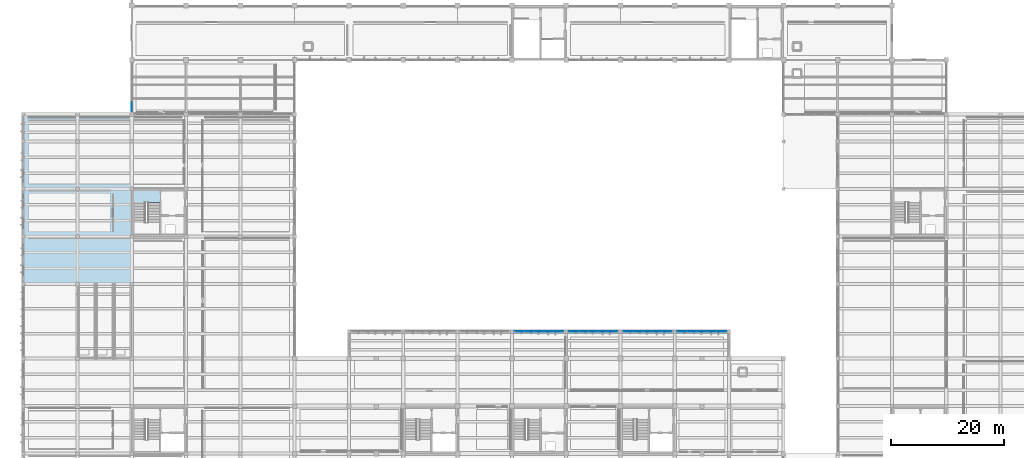
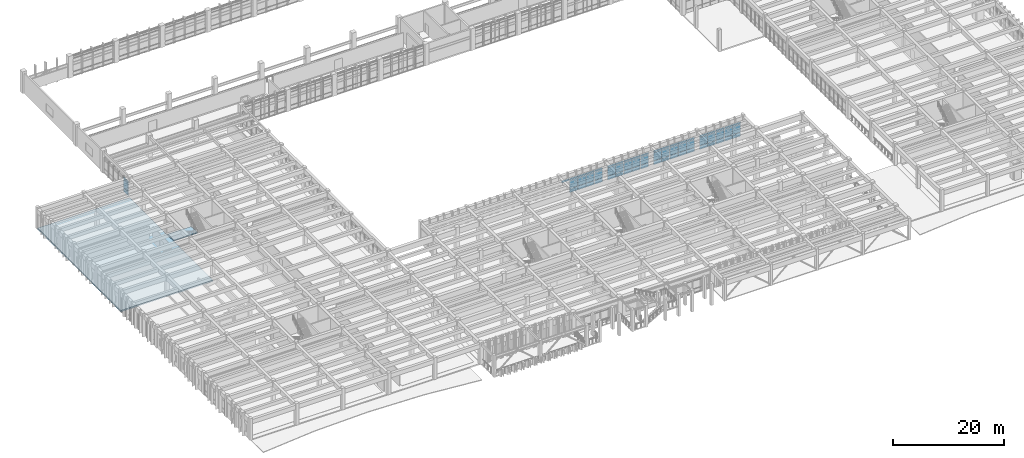
# One storey, part 48 of 86: 61 plates, 2 slabs, 5 elements without a shape of their own.
"""IFC4 building model written with IfcOpenShell, lengths in metres."""

from ifc_helpers import new_model, si_unit, direction, frame, origin, origin_2d, place, context, subcontext, project, spatial, polyline, rectangle, outline, extrude, material, layer, layer_set, type_object, element, aggregate, save


model = new_model("IFC4")

# Units and contexts
model_context = context("Model", 3, precision=1e-05, world=origin(), true_north=direction((0.0, 1.0)))
body_context = subcontext(model_context, "Body", "Model", "MODEL_VIEW")
ifc_project = project(units=[si_unit("LENGTHUNIT", "METRE"), si_unit("AREAUNIT", "SQUARE_METRE"), si_unit("VOLUMEUNIT", "CUBIC_METRE"), si_unit("PLANEANGLEUNIT", "RADIAN"), si_unit("MASSUNIT", "GRAM", prefix="KILO")], contexts=[model_context])

# Site, building, storey
site_placement = place(None, origin())
site = spatial("IfcSite", under=ifc_project, at=site_placement, CompositionType="ELEMENT")
building_placement = place(site_placement, origin())
building = spatial("IfcBuilding", under=site, at=building_placement, Name="Kolvemor Railside Polytechnic", CompositionType="ELEMENT")
storey_placement = place(building_placement, frame((0.0, 0.0, 5.39990234375)))
storey = spatial("IfcBuildingStorey", under=building, at=storey_placement, Name="L01", CompositionType="ELEMENT", Elevation=5.39990234375)

# Curtain wall, plates
ifc_material_1 = material(Name="Anodised marine aluminium and laminated low-E glass", Category="aluminium")
ifc_layer_1 = layer(ifc_material_1, 0.179931640625, Name="CW-UNIT-STD")
ifc_layer_set_1 = layer_set([ifc_layer_1], Name="Anodised marine aluminium and laminated low-E glass")
curtain_wall_type = type_object("IfcCurtainWallType", Name="CW-UNIT-STD", PredefinedType="USERDEFINED", material=ifc_layer_set_1)
curtain_wall_1_placement = place(storey_placement, origin())
curtain_wall_1 = element("IfcCurtainWall", 1, at=curtain_wall_1_placement, inside=storey, type_object=curtain_wall_type, Name="Curtain Wall L01-116", ObjectType="UNITISED CURTAIN WALL", PredefinedType="USERDEFINED")
ifc_material_2 = material(Name="Hurricane-laminated solar-control low-E glass", Category="glass")
ifc_layer_2 = layer(ifc_material_2, 0.031982421875, Name="CWP-GLZ-06")
ifc_layer_set_2 = layer_set([ifc_layer_2], Name="Hurricane-laminated solar-control low-E glass")
plate_type_1 = type_object("IfcPlateType", Name="CWP-GLZ-06", PredefinedType="CURTAIN_PANEL", material=ifc_layer_set_2)
plate_1_placement = place(storey_placement, frame((94.647705078125, 43.199951171875, 0.06494140625), z_axis=(0.0, 0.0, 1.0), x_axis=(-1.0, 0.0, 0.0)))
plate_1 = element("IfcPlate", 2, at=plate_1_placement, type_object=plate_type_1, Name="CW-STD panel 1.1", PredefinedType="CURTAIN_PANEL", context=body_context, shape_type="SweptSolid", body=[
    extrude(rectangle(XDim=1.634521484375, YDim=0.031982421875, at=origin_2d()), origin(), (0.0, 0.0, 1.0), 0.802490234375),
])
plate_2_placement = place(storey_placement, frame((94.647705078125, 43.199951171875, 0.9326171875), z_axis=(0.0, 0.0, 1.0), x_axis=(-1.0, 0.0, 0.0)))
plate_2 = element("IfcPlate", 3, at=plate_2_placement, type_object=plate_type_1, Name="CW-STD panel 1.2", PredefinedType="CURTAIN_PANEL", context=body_context, shape_type="SweptSolid", body=[
    extrude(rectangle(XDim=1.634521484375, YDim=0.031982421875, at=origin_2d()), origin(), (0.0, 0.0, 1.0), 1.764892578125),
])
plate_3_placement = place(storey_placement, frame((94.647705078125, 43.199951171875, 2.7626953125), z_axis=(0.0, 0.0, 1.0), x_axis=(-1.0, 0.0, 0.0)))
plate_3 = element("IfcPlate", 4, at=plate_3_placement, type_object=plate_type_1, Name="CW-STD panel 1.3", PredefinedType="CURTAIN_PANEL", context=body_context, shape_type="SweptSolid", body=[
    extrude(rectangle(XDim=1.634521484375, YDim=0.031982421875, at=origin_2d()), origin(), (0.0, 0.0, 1.0), 0.452392578125),
])
plate_4_placement = place(storey_placement, frame((92.931884765625, 43.199951171875, 0.06494140625), z_axis=(0.0, 0.0, 1.0), x_axis=(-1.0, 0.0, 0.0)))
plate_4 = element("IfcPlate", 5, at=plate_4_placement, type_object=plate_type_1, Name="CW-STD panel 2.1", PredefinedType="CURTAIN_PANEL", context=body_context, shape_type="SweptSolid", body=[
    extrude(rectangle(XDim=1.6669921875, YDim=0.031982421875, at=origin_2d()), origin(), (0.0, 0.0, 1.0), 0.802490234375),
])
plate_5_placement = place(storey_placement, frame((92.931884765625, 43.199951171875, 0.9326171875), z_axis=(0.0, 0.0, 1.0), x_axis=(-1.0, 0.0, 0.0)))
plate_5 = element("IfcPlate", 6, at=plate_5_placement, type_object=plate_type_1, Name="CW-STD panel 2.2", PredefinedType="CURTAIN_PANEL", context=body_context, shape_type="SweptSolid", body=[
    extrude(rectangle(XDim=1.6669921875, YDim=0.031982421875, at=origin_2d()), origin(), (0.0, 0.0, 1.0), 1.764892578125),
])
plate_6_placement = place(storey_placement, frame((92.931884765625, 43.199951171875, 2.7626953125), z_axis=(0.0, 0.0, 1.0), x_axis=(-1.0, 0.0, 0.0)))
plate_6 = element("IfcPlate", 7, at=plate_6_placement, type_object=plate_type_1, Name="CW-STD panel 2.3", PredefinedType="CURTAIN_PANEL", context=body_context, shape_type="SweptSolid", body=[
    extrude(rectangle(XDim=1.6669921875, YDim=0.031982421875, at=origin_2d()), origin(), (0.0, 0.0, 1.0), 0.452392578125),
])
plate_7_placement = place(storey_placement, frame((91.199951171875, 43.199951171875, 0.06494140625), z_axis=(0.0, 0.0, 1.0), x_axis=(-1.0, 0.0, 0.0)))
plate_7 = element("IfcPlate", 8, at=plate_7_placement, type_object=plate_type_1, Name="CW-STD panel 3.1", PredefinedType="CURTAIN_PANEL", context=body_context, shape_type="SweptSolid", body=[
    extrude(rectangle(XDim=1.6669921875, YDim=0.031982421875, at=origin_2d()), origin(), (0.0, 0.0, 1.0), 0.802490234375),
])
plate_8_placement = place(storey_placement, frame((91.199951171875, 43.199951171875, 0.9326171875), z_axis=(0.0, 0.0, 1.0), x_axis=(-1.0, 0.0, 0.0)))
plate_8 = element("IfcPlate", 9, at=plate_8_placement, type_object=plate_type_1, Name="CW-STD panel 3.2", PredefinedType="CURTAIN_PANEL", context=body_context, shape_type="SweptSolid", body=[
    extrude(rectangle(XDim=1.6669921875, YDim=0.031982421875, at=origin_2d()), origin(), (0.0, 0.0, 1.0), 1.764892578125),
])
plate_9_placement = place(storey_placement, frame((91.199951171875, 43.199951171875, 2.7626953125), z_axis=(0.0, 0.0, 1.0), x_axis=(-1.0, 0.0, 0.0)))
plate_9 = element("IfcPlate", 10, at=plate_9_placement, type_object=plate_type_1, Name="CW-STD panel 3.3", PredefinedType="CURTAIN_PANEL", context=body_context, shape_type="SweptSolid", body=[
    extrude(rectangle(XDim=1.6669921875, YDim=0.031982421875, at=origin_2d()), origin(), (0.0, 0.0, 1.0), 0.452392578125),
])
plate_10_placement = place(storey_placement, frame((89.468017578125, 43.199951171875, 0.06494140625), z_axis=(0.0, 0.0, 1.0), x_axis=(-1.0, 0.0, 0.0)))
plate_10 = element("IfcPlate", 11, at=plate_10_placement, type_object=plate_type_1, Name="CW-STD panel 4.1", PredefinedType="CURTAIN_PANEL", context=body_context, shape_type="SweptSolid", body=[
    extrude(rectangle(XDim=1.6669921875, YDim=0.031982421875, at=origin_2d()), origin(), (0.0, 0.0, 1.0), 0.802490234375),
])
plate_11_placement = place(storey_placement, frame((89.468017578125, 43.199951171875, 0.9326171875), z_axis=(0.0, 0.0, 1.0), x_axis=(-1.0, 0.0, 0.0)))
plate_11 = element("IfcPlate", 12, at=plate_11_placement, type_object=plate_type_1, Name="CW-STD panel 4.2", PredefinedType="CURTAIN_PANEL", context=body_context, shape_type="SweptSolid", body=[
    extrude(rectangle(XDim=1.6669921875, YDim=0.031982421875, at=origin_2d()), origin(), (0.0, 0.0, 1.0), 1.764892578125),
])
plate_12_placement = place(storey_placement, frame((89.468017578125, 43.199951171875, 2.7626953125), z_axis=(0.0, 0.0, 1.0), x_axis=(-1.0, 0.0, 0.0)))
plate_12 = element("IfcPlate", 13, at=plate_12_placement, type_object=plate_type_1, Name="CW-STD panel 4.3", PredefinedType="CURTAIN_PANEL", context=body_context, shape_type="SweptSolid", body=[
    extrude(rectangle(XDim=1.6669921875, YDim=0.031982421875, at=origin_2d()), origin(), (0.0, 0.0, 1.0), 0.452392578125),
])
plate_13_placement = place(storey_placement, frame((87.752197265625, 43.199951171875, 2.7626953125), z_axis=(0.0, 0.0, 1.0), x_axis=(-1.0, 0.0, 0.0)))
plate_13 = element("IfcPlate", 14, at=plate_13_placement, type_object=plate_type_1, Name="CW-STD panel 5.3", PredefinedType="CURTAIN_PANEL", context=body_context, shape_type="SweptSolid", body=[
    extrude(rectangle(XDim=1.634521484375, YDim=0.031982421875, at=origin_2d()), origin(), (0.0, 0.0, 1.0), 0.452392578125),
])
aggregate(curtain_wall_1, [plate_1, plate_2, plate_3, plate_4, plate_5, plate_6, plate_7, plate_8, plate_9, plate_10, plate_11, plate_12, plate_13])

curtain_wall_2_placement = place(storey_placement, origin())
curtain_wall_2 = element("IfcCurtainWall", 15, at=curtain_wall_2_placement, inside=storey, type_object=curtain_wall_type, Name="Curtain Wall L01-117", ObjectType="UNITISED CURTAIN WALL", PredefinedType="USERDEFINED")
ifc_material_3 = material(Name="Hurricane-laminated solar-control low-E glass", Category="glass")
ifc_layer_3 = layer(ifc_material_3, 0.033935546875, Name="CWP-GLZ-07")
ifc_layer_set_3 = layer_set([ifc_layer_3], Name="Hurricane-laminated solar-control low-E glass")
plate_type_2 = type_object("IfcPlateType", Name="CWP-GLZ-07", PredefinedType="CURTAIN_PANEL", material=ifc_layer_set_3)
plate_14_placement = place(storey_placement, frame((104.247802734375, 43.199951171875, 0.06494140625), z_axis=(0.0, 0.0, 1.0), x_axis=(-1.0, 0.0, 0.0)))
plate_14 = element("IfcPlate", 16, at=plate_14_placement, type_object=plate_type_2, Name="CW-STD panel 1.1", PredefinedType="CURTAIN_PANEL", context=body_context, shape_type="SweptSolid", body=[
    extrude(rectangle(XDim=1.634521484375, YDim=0.033935546875, at=origin_2d()), origin(), (0.0, 0.0, 1.0), 0.802490234375),
])
plate_15_placement = place(storey_placement, frame((104.247802734375, 43.199951171875, 0.9326171875), z_axis=(0.0, 0.0, 1.0), x_axis=(-1.0, 0.0, 0.0)))
plate_15 = element("IfcPlate", 17, at=plate_15_placement, type_object=plate_type_2, Name="CW-STD panel 1.2", PredefinedType="CURTAIN_PANEL", context=body_context, shape_type="SweptSolid", body=[
    extrude(rectangle(XDim=1.634521484375, YDim=0.033935546875, at=origin_2d()), origin(), (0.0, 0.0, 1.0), 1.764892578125),
])
plate_16_placement = place(storey_placement, frame((104.247802734375, 43.199951171875, 2.7626953125), z_axis=(0.0, 0.0, 1.0), x_axis=(-1.0, 0.0, 0.0)))
plate_16 = element("IfcPlate", 18, at=plate_16_placement, type_object=plate_type_2, Name="CW-STD panel 1.3", PredefinedType="CURTAIN_PANEL", context=body_context, shape_type="SweptSolid", body=[
    extrude(rectangle(XDim=1.634521484375, YDim=0.033935546875, at=origin_2d()), origin(), (0.0, 0.0, 1.0), 0.452392578125),
])
plate_17_placement = place(storey_placement, frame((102.531982421875, 43.199951171875, 0.06494140625), z_axis=(0.0, 0.0, 1.0), x_axis=(-1.0, 0.0, 0.0)))
plate_17 = element("IfcPlate", 19, at=plate_17_placement, type_object=plate_type_2, Name="CW-STD panel 2.1", PredefinedType="CURTAIN_PANEL", context=body_context, shape_type="SweptSolid", body=[
    extrude(rectangle(XDim=1.6669921875, YDim=0.033935546875, at=origin_2d()), origin(), (0.0, 0.0, 1.0), 0.802490234375),
])
plate_18_placement = place(storey_placement, frame((102.531982421875, 43.199951171875, 0.9326171875), z_axis=(0.0, 0.0, 1.0), x_axis=(-1.0, 0.0, 0.0)))
plate_18 = element("IfcPlate", 20, at=plate_18_placement, type_object=plate_type_2, Name="CW-STD panel 2.2", PredefinedType="CURTAIN_PANEL", context=body_context, shape_type="SweptSolid", body=[
    extrude(rectangle(XDim=1.6669921875, YDim=0.033935546875, at=origin_2d()), origin(), (0.0, 0.0, 1.0), 1.764892578125),
])
plate_19_placement = place(storey_placement, frame((102.531982421875, 43.199951171875, 2.7626953125), z_axis=(0.0, 0.0, 1.0), x_axis=(-1.0, 0.0, 0.0)))
plate_19 = element("IfcPlate", 21, at=plate_19_placement, type_object=plate_type_2, Name="CW-STD panel 2.3", PredefinedType="CURTAIN_PANEL", context=body_context, shape_type="SweptSolid", body=[
    extrude(rectangle(XDim=1.6669921875, YDim=0.033935546875, at=origin_2d()), origin(), (0.0, 0.0, 1.0), 0.452392578125),
])
plate_20_placement = place(storey_placement, frame((100.800048828125, 43.199951171875, 0.06494140625), z_axis=(0.0, 0.0, 1.0), x_axis=(-1.0, 0.0, 0.0)))
plate_20 = element("IfcPlate", 22, at=plate_20_placement, type_object=plate_type_2, Name="CW-STD panel 3.1", PredefinedType="CURTAIN_PANEL", context=body_context, shape_type="SweptSolid", body=[
    extrude(rectangle(XDim=1.6669921875, YDim=0.033935546875, at=origin_2d()), origin(), (0.0, 0.0, 1.0), 0.802490234375),
])
plate_21_placement = place(storey_placement, frame((100.800048828125, 43.199951171875, 0.9326171875), z_axis=(0.0, 0.0, 1.0), x_axis=(-1.0, 0.0, 0.0)))
plate_21 = element("IfcPlate", 23, at=plate_21_placement, type_object=plate_type_2, Name="CW-STD panel 3.2", PredefinedType="CURTAIN_PANEL", context=body_context, shape_type="SweptSolid", body=[
    extrude(rectangle(XDim=1.6669921875, YDim=0.033935546875, at=origin_2d()), origin(), (0.0, 0.0, 1.0), 1.764892578125),
])
plate_22_placement = place(storey_placement, frame((100.800048828125, 43.199951171875, 2.7626953125), z_axis=(0.0, 0.0, 1.0), x_axis=(-1.0, 0.0, 0.0)))
plate_22 = element("IfcPlate", 24, at=plate_22_placement, type_object=plate_type_2, Name="CW-STD panel 3.3", PredefinedType="CURTAIN_PANEL", context=body_context, shape_type="SweptSolid", body=[
    extrude(rectangle(XDim=1.6669921875, YDim=0.033935546875, at=origin_2d()), origin(), (0.0, 0.0, 1.0), 0.452392578125),
])
plate_23_placement = place(storey_placement, frame((99.068115234375, 43.199951171875, 0.06494140625), z_axis=(0.0, 0.0, 1.0), x_axis=(-1.0, 0.0, 0.0)))
plate_23 = element("IfcPlate", 25, at=plate_23_placement, type_object=plate_type_2, Name="CW-STD panel 4.1", PredefinedType="CURTAIN_PANEL", context=body_context, shape_type="SweptSolid", body=[
    extrude(rectangle(XDim=1.6669921875, YDim=0.033935546875, at=origin_2d()), origin(), (0.0, 0.0, 1.0), 0.802490234375),
])
plate_24_placement = place(storey_placement, frame((99.068115234375, 43.199951171875, 0.9326171875), z_axis=(0.0, 0.0, 1.0), x_axis=(-1.0, 0.0, 0.0)))
plate_24 = element("IfcPlate", 26, at=plate_24_placement, type_object=plate_type_2, Name="CW-STD panel 4.2", PredefinedType="CURTAIN_PANEL", context=body_context, shape_type="SweptSolid", body=[
    extrude(rectangle(XDim=1.6669921875, YDim=0.033935546875, at=origin_2d()), origin(), (0.0, 0.0, 1.0), 1.764892578125),
])
plate_25_placement = place(storey_placement, frame((99.068115234375, 43.199951171875, 2.7626953125), z_axis=(0.0, 0.0, 1.0), x_axis=(-1.0, 0.0, 0.0)))
plate_25 = element("IfcPlate", 27, at=plate_25_placement, type_object=plate_type_2, Name="CW-STD panel 4.3", PredefinedType="CURTAIN_PANEL", context=body_context, shape_type="SweptSolid", body=[
    extrude(rectangle(XDim=1.6669921875, YDim=0.033935546875, at=origin_2d()), origin(), (0.0, 0.0, 1.0), 0.452392578125),
])
plate_26_placement = place(storey_placement, frame((97.352294921875, 43.199951171875, 0.06494140625), z_axis=(0.0, 0.0, 1.0), x_axis=(-1.0, 0.0, 0.0)))
plate_26 = element("IfcPlate", 28, at=plate_26_placement, type_object=plate_type_2, Name="CW-STD panel 5.1", PredefinedType="CURTAIN_PANEL", context=body_context, shape_type="SweptSolid", body=[
    extrude(rectangle(XDim=1.634521484375, YDim=0.033935546875, at=origin_2d()), origin(), (0.0, 0.0, 1.0), 0.802490234375),
])
plate_27_placement = place(storey_placement, frame((97.352294921875, 43.199951171875, 0.9326171875), z_axis=(0.0, 0.0, 1.0), x_axis=(-1.0, 0.0, 0.0)))
plate_27 = element("IfcPlate", 29, at=plate_27_placement, type_object=plate_type_2, Name="CW-STD panel 5.2", PredefinedType="CURTAIN_PANEL", context=body_context, shape_type="SweptSolid", body=[
    extrude(rectangle(XDim=1.634521484375, YDim=0.033935546875, at=origin_2d()), origin(), (0.0, 0.0, 1.0), 1.764892578125),
])
plate_28_placement = place(storey_placement, frame((97.352294921875, 43.199951171875, 2.7626953125), z_axis=(0.0, 0.0, 1.0), x_axis=(-1.0, 0.0, 0.0)))
plate_28 = element("IfcPlate", 30, at=plate_28_placement, type_object=plate_type_2, Name="CW-STD panel 5.3", PredefinedType="CURTAIN_PANEL", context=body_context, shape_type="SweptSolid", body=[
    extrude(rectangle(XDim=1.634521484375, YDim=0.033935546875, at=origin_2d()), origin(), (0.0, 0.0, 1.0), 0.452392578125),
])
aggregate(curtain_wall_2, [plate_14, plate_15, plate_16, plate_17, plate_18, plate_19, plate_20, plate_21, plate_22, plate_23, plate_24, plate_25, plate_26, plate_27, plate_28])

curtain_wall_3_placement = place(storey_placement, origin())
curtain_wall_3 = element("IfcCurtainWall", 31, at=curtain_wall_3_placement, inside=storey, type_object=curtain_wall_type, Name="Curtain Wall L01-118", ObjectType="UNITISED CURTAIN WALL", PredefinedType="USERDEFINED")
ifc_material_4 = material(Name="Hurricane-laminated solar-control low-E glass", Category="glass")
ifc_layer_4 = layer(ifc_material_4, 0.035888671875, Name="CWP-GLZ-08")
ifc_layer_set_4 = layer_set([ifc_layer_4], Name="Hurricane-laminated solar-control low-E glass")
plate_type_3 = type_object("IfcPlateType", Name="CWP-GLZ-08", PredefinedType="CURTAIN_PANEL", material=ifc_layer_set_4)
plate_29_placement = place(storey_placement, frame((113.84765625, 43.199951171875, 0.06494140625), z_axis=(0.0, 0.0, 1.0), x_axis=(-1.0, 0.0, 0.0)))
plate_29 = element("IfcPlate", 32, at=plate_29_placement, type_object=plate_type_3, Name="CW-STD panel 1.1", PredefinedType="CURTAIN_PANEL", context=body_context, shape_type="SweptSolid", body=[
    extrude(rectangle(XDim=1.634521484375, YDim=0.035888671875, at=origin_2d()), origin(), (0.0, 0.0, 1.0), 0.802490234375),
])
plate_30_placement = place(storey_placement, frame((113.84765625, 43.199951171875, 0.9326171875), z_axis=(0.0, 0.0, 1.0), x_axis=(-1.0, 0.0, 0.0)))
plate_30 = element("IfcPlate", 33, at=plate_30_placement, type_object=plate_type_3, Name="CW-STD panel 1.2", PredefinedType="CURTAIN_PANEL", context=body_context, shape_type="SweptSolid", body=[
    extrude(rectangle(XDim=1.634521484375, YDim=0.035888671875, at=origin_2d()), origin(), (0.0, 0.0, 1.0), 1.764892578125),
])
plate_31_placement = place(storey_placement, frame((113.84765625, 43.199951171875, 2.7626953125), z_axis=(0.0, 0.0, 1.0), x_axis=(-1.0, 0.0, 0.0)))
plate_31 = element("IfcPlate", 34, at=plate_31_placement, type_object=plate_type_3, Name="CW-STD panel 1.3", PredefinedType="CURTAIN_PANEL", context=body_context, shape_type="SweptSolid", body=[
    extrude(rectangle(XDim=1.634521484375, YDim=0.035888671875, at=origin_2d()), origin(), (0.0, 0.0, 1.0), 0.452392578125),
])
plate_32_placement = place(storey_placement, frame((112.132080078125, 43.199951171875, 0.06494140625), z_axis=(0.0, 0.0, 1.0), x_axis=(-1.0, 0.0, 0.0)))
plate_32 = element("IfcPlate", 35, at=plate_32_placement, type_object=plate_type_3, Name="CW-STD panel 2.1", PredefinedType="CURTAIN_PANEL", context=body_context, shape_type="SweptSolid", body=[
    extrude(rectangle(XDim=1.6669921875, YDim=0.035888671875, at=origin_2d()), origin(), (0.0, 0.0, 1.0), 0.802490234375),
])
plate_33_placement = place(storey_placement, frame((112.132080078125, 43.199951171875, 0.9326171875), z_axis=(0.0, 0.0, 1.0), x_axis=(-1.0, 0.0, 0.0)))
plate_33 = element("IfcPlate", 36, at=plate_33_placement, type_object=plate_type_3, Name="CW-STD panel 2.2", PredefinedType="CURTAIN_PANEL", context=body_context, shape_type="SweptSolid", body=[
    extrude(rectangle(XDim=1.6669921875, YDim=0.035888671875, at=origin_2d()), origin(), (0.0, 0.0, 1.0), 1.764892578125),
])
plate_34_placement = place(storey_placement, frame((112.132080078125, 43.199951171875, 2.7626953125), z_axis=(0.0, 0.0, 1.0), x_axis=(-1.0, 0.0, 0.0)))
plate_34 = element("IfcPlate", 37, at=plate_34_placement, type_object=plate_type_3, Name="CW-STD panel 2.3", PredefinedType="CURTAIN_PANEL", context=body_context, shape_type="SweptSolid", body=[
    extrude(rectangle(XDim=1.6669921875, YDim=0.035888671875, at=origin_2d()), origin(), (0.0, 0.0, 1.0), 0.452392578125),
])
plate_35_placement = place(storey_placement, frame((110.39990234375, 43.199951171875, 0.06494140625), z_axis=(0.0, 0.0, 1.0), x_axis=(-1.0, 0.0, 0.0)))
plate_35 = element("IfcPlate", 38, at=plate_35_placement, type_object=plate_type_3, Name="CW-STD panel 3.1", PredefinedType="CURTAIN_PANEL", context=body_context, shape_type="SweptSolid", body=[
    extrude(rectangle(XDim=1.6669921875, YDim=0.035888671875, at=origin_2d()), origin(), (0.0, 0.0, 1.0), 0.802490234375),
])
plate_36_placement = place(storey_placement, frame((110.39990234375, 43.199951171875, 0.9326171875), z_axis=(0.0, 0.0, 1.0), x_axis=(-1.0, 0.0, 0.0)))
plate_36 = element("IfcPlate", 39, at=plate_36_placement, type_object=plate_type_3, Name="CW-STD panel 3.2", PredefinedType="CURTAIN_PANEL", context=body_context, shape_type="SweptSolid", body=[
    extrude(rectangle(XDim=1.6669921875, YDim=0.035888671875, at=origin_2d()), origin(), (0.0, 0.0, 1.0), 1.764892578125),
])
plate_37_placement = place(storey_placement, frame((110.39990234375, 43.199951171875, 2.7626953125), z_axis=(0.0, 0.0, 1.0), x_axis=(-1.0, 0.0, 0.0)))
plate_37 = element("IfcPlate", 40, at=plate_37_placement, type_object=plate_type_3, Name="CW-STD panel 3.3", PredefinedType="CURTAIN_PANEL", context=body_context, shape_type="SweptSolid", body=[
    extrude(rectangle(XDim=1.6669921875, YDim=0.035888671875, at=origin_2d()), origin(), (0.0, 0.0, 1.0), 0.452392578125),
])
plate_38_placement = place(storey_placement, frame((108.66796875, 43.199951171875, 0.06494140625), z_axis=(0.0, 0.0, 1.0), x_axis=(-1.0, 0.0, 0.0)))
plate_38 = element("IfcPlate", 41, at=plate_38_placement, type_object=plate_type_3, Name="CW-STD panel 4.1", PredefinedType="CURTAIN_PANEL", context=body_context, shape_type="SweptSolid", body=[
    extrude(rectangle(XDim=1.6669921875, YDim=0.035888671875, at=origin_2d()), origin(), (0.0, 0.0, 1.0), 0.802490234375),
])
plate_39_placement = place(storey_placement, frame((108.66796875, 43.199951171875, 0.9326171875), z_axis=(0.0, 0.0, 1.0), x_axis=(-1.0, 0.0, 0.0)))
plate_39 = element("IfcPlate", 42, at=plate_39_placement, type_object=plate_type_3, Name="CW-STD panel 4.2", PredefinedType="CURTAIN_PANEL", context=body_context, shape_type="SweptSolid", body=[
    extrude(rectangle(XDim=1.6669921875, YDim=0.035888671875, at=origin_2d()), origin(), (0.0, 0.0, 1.0), 1.764892578125),
])
plate_40_placement = place(storey_placement, frame((108.66796875, 43.199951171875, 2.7626953125), z_axis=(0.0, 0.0, 1.0), x_axis=(-1.0, 0.0, 0.0)))
plate_40 = element("IfcPlate", 43, at=plate_40_placement, type_object=plate_type_3, Name="CW-STD panel 4.3", PredefinedType="CURTAIN_PANEL", context=body_context, shape_type="SweptSolid", body=[
    extrude(rectangle(XDim=1.6669921875, YDim=0.035888671875, at=origin_2d()), origin(), (0.0, 0.0, 1.0), 0.452392578125),
])
plate_41_placement = place(storey_placement, frame((106.9521484375, 43.199951171875, 0.06494140625), z_axis=(0.0, 0.0, 1.0), x_axis=(-1.0, 0.0, 0.0)))
plate_41 = element("IfcPlate", 44, at=plate_41_placement, type_object=plate_type_3, Name="CW-STD panel 5.1", PredefinedType="CURTAIN_PANEL", context=body_context, shape_type="SweptSolid", body=[
    extrude(rectangle(XDim=1.634521484375, YDim=0.035888671875, at=origin_2d()), origin(), (0.0, 0.0, 1.0), 0.802490234375),
])
plate_42_placement = place(storey_placement, frame((106.9521484375, 43.199951171875, 0.9326171875), z_axis=(0.0, 0.0, 1.0), x_axis=(-1.0, 0.0, 0.0)))
plate_42 = element("IfcPlate", 45, at=plate_42_placement, type_object=plate_type_3, Name="CW-STD panel 5.2", PredefinedType="CURTAIN_PANEL", context=body_context, shape_type="SweptSolid", body=[
    extrude(rectangle(XDim=1.634521484375, YDim=0.035888671875, at=origin_2d()), origin(), (0.0, 0.0, 1.0), 1.764892578125),
])
plate_43_placement = place(storey_placement, frame((106.9521484375, 43.199951171875, 2.7626953125), z_axis=(0.0, 0.0, 1.0), x_axis=(-1.0, 0.0, 0.0)))
plate_43 = element("IfcPlate", 46, at=plate_43_placement, type_object=plate_type_3, Name="CW-STD panel 5.3", PredefinedType="CURTAIN_PANEL", context=body_context, shape_type="SweptSolid", body=[
    extrude(rectangle(XDim=1.634521484375, YDim=0.035888671875, at=origin_2d()), origin(), (0.0, 0.0, 1.0), 0.452392578125),
])
aggregate(curtain_wall_3, [plate_29, plate_30, plate_31, plate_32, plate_33, plate_34, plate_35, plate_36, plate_37, plate_38, plate_39, plate_40, plate_41, plate_42, plate_43])

curtain_wall_4_placement = place(storey_placement, origin())
curtain_wall_4 = element("IfcCurtainWall", 47, at=curtain_wall_4_placement, inside=storey, type_object=curtain_wall_type, Name="Curtain Wall L01-119", ObjectType="UNITISED CURTAIN WALL", PredefinedType="USERDEFINED")
ifc_material_5 = material(Name="Hurricane-laminated solar-control low-E glass", Category="glass")
ifc_layer_5 = layer(ifc_material_5, 0.0380859375, Name="CWP-GLZ-09")
ifc_layer_set_5 = layer_set([ifc_layer_5], Name="Hurricane-laminated solar-control low-E glass")
plate_type_4 = type_object("IfcPlateType", Name="CWP-GLZ-09", PredefinedType="CURTAIN_PANEL", material=ifc_layer_set_5)
plate_44_placement = place(storey_placement, frame((123.44775390625, 43.199951171875, 0.06494140625), z_axis=(0.0, 0.0, 1.0), x_axis=(-1.0, 0.0, 0.0)))
plate_44 = element("IfcPlate", 48, at=plate_44_placement, type_object=plate_type_4, Name="CW-STD panel 1.1", PredefinedType="CURTAIN_PANEL", context=body_context, shape_type="SweptSolid", body=[
    extrude(rectangle(XDim=1.634521484375, YDim=0.0380859375, at=origin_2d()), origin(), (0.0, 0.0, 1.0), 0.802490234375),
])
plate_45_placement = place(storey_placement, frame((123.44775390625, 43.199951171875, 0.9326171875), z_axis=(0.0, 0.0, 1.0), x_axis=(-1.0, 0.0, 0.0)))
plate_45 = element("IfcPlate", 49, at=plate_45_placement, type_object=plate_type_4, Name="CW-STD panel 1.2", PredefinedType="CURTAIN_PANEL", context=body_context, shape_type="SweptSolid", body=[
    extrude(rectangle(XDim=1.634521484375, YDim=0.0380859375, at=origin_2d()), origin(), (0.0, 0.0, 1.0), 1.764892578125),
])
plate_46_placement = place(storey_placement, frame((123.44775390625, 43.199951171875, 2.7626953125), z_axis=(0.0, 0.0, 1.0), x_axis=(-1.0, 0.0, 0.0)))
plate_46 = element("IfcPlate", 50, at=plate_46_placement, type_object=plate_type_4, Name="CW-STD panel 1.3", PredefinedType="CURTAIN_PANEL", context=body_context, shape_type="SweptSolid", body=[
    extrude(rectangle(XDim=1.634521484375, YDim=0.0380859375, at=origin_2d()), origin(), (0.0, 0.0, 1.0), 0.452392578125),
])
plate_47_placement = place(storey_placement, frame((121.73193359375, 43.199951171875, 0.06494140625), z_axis=(0.0, 0.0, 1.0), x_axis=(-1.0, 0.0, 0.0)))
plate_47 = element("IfcPlate", 51, at=plate_47_placement, type_object=plate_type_4, Name="CW-STD panel 2.1", PredefinedType="CURTAIN_PANEL", context=body_context, shape_type="SweptSolid", body=[
    extrude(rectangle(XDim=1.6669921875, YDim=0.0380859375, at=origin_2d()), origin(), (0.0, 0.0, 1.0), 0.802490234375),
])
plate_48_placement = place(storey_placement, frame((121.73193359375, 43.199951171875, 0.9326171875), z_axis=(0.0, 0.0, 1.0), x_axis=(-1.0, 0.0, 0.0)))
plate_48 = element("IfcPlate", 52, at=plate_48_placement, type_object=plate_type_4, Name="CW-STD panel 2.2", PredefinedType="CURTAIN_PANEL", context=body_context, shape_type="SweptSolid", body=[
    extrude(rectangle(XDim=1.6669921875, YDim=0.0380859375, at=origin_2d()), origin(), (0.0, 0.0, 1.0), 1.764892578125),
])
plate_49_placement = place(storey_placement, frame((121.73193359375, 43.199951171875, 2.7626953125), z_axis=(0.0, 0.0, 1.0), x_axis=(-1.0, 0.0, 0.0)))
plate_49 = element("IfcPlate", 53, at=plate_49_placement, type_object=plate_type_4, Name="CW-STD panel 2.3", PredefinedType="CURTAIN_PANEL", context=body_context, shape_type="SweptSolid", body=[
    extrude(rectangle(XDim=1.6669921875, YDim=0.0380859375, at=origin_2d()), origin(), (0.0, 0.0, 1.0), 0.452392578125),
])
plate_50_placement = place(storey_placement, frame((120.0, 43.199951171875, 0.06494140625), z_axis=(0.0, 0.0, 1.0), x_axis=(-1.0, 0.0, 0.0)))
plate_50 = element("IfcPlate", 54, at=plate_50_placement, type_object=plate_type_4, Name="CW-STD panel 3.1", PredefinedType="CURTAIN_PANEL", context=body_context, shape_type="SweptSolid", body=[
    extrude(rectangle(XDim=1.6669921875, YDim=0.0380859375, at=origin_2d()), origin(), (0.0, 0.0, 1.0), 0.802490234375),
])
plate_51_placement = place(storey_placement, frame((120.0, 43.199951171875, 0.9326171875), z_axis=(0.0, 0.0, 1.0), x_axis=(-1.0, 0.0, 0.0)))
plate_51 = element("IfcPlate", 55, at=plate_51_placement, type_object=plate_type_4, Name="CW-STD panel 3.2", PredefinedType="CURTAIN_PANEL", context=body_context, shape_type="SweptSolid", body=[
    extrude(rectangle(XDim=1.6669921875, YDim=0.0380859375, at=origin_2d()), origin(), (0.0, 0.0, 1.0), 1.764892578125),
])
plate_52_placement = place(storey_placement, frame((120.0, 43.199951171875, 2.7626953125), z_axis=(0.0, 0.0, 1.0), x_axis=(-1.0, 0.0, 0.0)))
plate_52 = element("IfcPlate", 56, at=plate_52_placement, type_object=plate_type_4, Name="CW-STD panel 3.3", PredefinedType="CURTAIN_PANEL", context=body_context, shape_type="SweptSolid", body=[
    extrude(rectangle(XDim=1.6669921875, YDim=0.0380859375, at=origin_2d()), origin(), (0.0, 0.0, 1.0), 0.452392578125),
])
plate_53_placement = place(storey_placement, frame((118.26806640625, 43.199951171875, 0.06494140625), z_axis=(0.0, 0.0, 1.0), x_axis=(-1.0, 0.0, 0.0)))
plate_53 = element("IfcPlate", 57, at=plate_53_placement, type_object=plate_type_4, Name="CW-STD panel 4.1", PredefinedType="CURTAIN_PANEL", context=body_context, shape_type="SweptSolid", body=[
    extrude(rectangle(XDim=1.6669921875, YDim=0.0380859375, at=origin_2d()), origin(), (0.0, 0.0, 1.0), 0.802490234375),
])
plate_54_placement = place(storey_placement, frame((118.26806640625, 43.199951171875, 0.9326171875), z_axis=(0.0, 0.0, 1.0), x_axis=(-1.0, 0.0, 0.0)))
plate_54 = element("IfcPlate", 58, at=plate_54_placement, type_object=plate_type_4, Name="CW-STD panel 4.2", PredefinedType="CURTAIN_PANEL", context=body_context, shape_type="SweptSolid", body=[
    extrude(rectangle(XDim=1.6669921875, YDim=0.0380859375, at=origin_2d()), origin(), (0.0, 0.0, 1.0), 1.764892578125),
])
plate_55_placement = place(storey_placement, frame((118.26806640625, 43.199951171875, 2.7626953125), z_axis=(0.0, 0.0, 1.0), x_axis=(-1.0, 0.0, 0.0)))
plate_55 = element("IfcPlate", 59, at=plate_55_placement, type_object=plate_type_4, Name="CW-STD panel 4.3", PredefinedType="CURTAIN_PANEL", context=body_context, shape_type="SweptSolid", body=[
    extrude(rectangle(XDim=1.6669921875, YDim=0.0380859375, at=origin_2d()), origin(), (0.0, 0.0, 1.0), 0.452392578125),
])
plate_56_placement = place(storey_placement, frame((116.55224609375, 43.199951171875, 0.06494140625), z_axis=(0.0, 0.0, 1.0), x_axis=(-1.0, 0.0, 0.0)))
plate_56 = element("IfcPlate", 60, at=plate_56_placement, type_object=plate_type_4, Name="CW-STD panel 5.1", PredefinedType="CURTAIN_PANEL", context=body_context, shape_type="SweptSolid", body=[
    extrude(rectangle(XDim=1.634521484375, YDim=0.0380859375, at=origin_2d()), origin(), (0.0, 0.0, 1.0), 0.802490234375),
])
plate_57_placement = place(storey_placement, frame((116.55224609375, 43.199951171875, 0.9326171875), z_axis=(0.0, 0.0, 1.0), x_axis=(-1.0, 0.0, 0.0)))
plate_57 = element("IfcPlate", 61, at=plate_57_placement, type_object=plate_type_4, Name="CW-STD panel 5.2", PredefinedType="CURTAIN_PANEL", context=body_context, shape_type="SweptSolid", body=[
    extrude(rectangle(XDim=1.634521484375, YDim=0.0380859375, at=origin_2d()), origin(), (0.0, 0.0, 1.0), 1.764892578125),
])
plate_58_placement = place(storey_placement, frame((116.55224609375, 43.199951171875, 2.7626953125), z_axis=(0.0, 0.0, 1.0), x_axis=(-1.0, 0.0, 0.0)))
plate_58 = element("IfcPlate", 62, at=plate_58_placement, type_object=plate_type_4, Name="CW-STD panel 5.3", PredefinedType="CURTAIN_PANEL", context=body_context, shape_type="SweptSolid", body=[
    extrude(rectangle(XDim=1.634521484375, YDim=0.0380859375, at=origin_2d()), origin(), (0.0, 0.0, 1.0), 0.452392578125),
])
aggregate(curtain_wall_4, [plate_44, plate_45, plate_46, plate_47, plate_48, plate_49, plate_50, plate_51, plate_52, plate_53, plate_54, plate_55, plate_56, plate_57, plate_58])

curtain_wall_5_placement = place(storey_placement, origin())
curtain_wall_5 = element("IfcCurtainWall", 63, at=curtain_wall_5_placement, inside=storey, type_object=curtain_wall_type, Name="Curtain Wall L01-042", ObjectType="UNITISED CURTAIN WALL", PredefinedType="USERDEFINED")
ifc_material_6 = material(Name="Hurricane-laminated solar-control low-E glass", Category="glass")
ifc_layer_6 = layer(ifc_material_6, 0.06201171875, Name="CWP-GLZ-21")
ifc_layer_set_6 = layer_set([ifc_layer_6], Name="Hurricane-laminated solar-control low-E glass")
plate_type_5 = type_object("IfcPlateType", Name="CWP-GLZ-21", PredefinedType="CURTAIN_PANEL", material=ifc_layer_set_6)
plate_59_placement = place(storey_placement, frame((19.199951171875, 82.9521484375, 0.06494140625), z_axis=(0.0, 0.0, 1.0), x_axis=(0.0, -1.0, 0.0)))
plate_59 = element("IfcPlate", 64, at=plate_59_placement, type_object=plate_type_5, Name="CW-STD panel 5.1", PredefinedType="CURTAIN_PANEL", context=body_context, shape_type="SweptSolid", body=[
    extrude(rectangle(XDim=1.634521484375, YDim=0.06201171875, at=origin_2d()), origin(), (0.0, 0.0, 1.0), 0.802490234375),
])
plate_60_placement = place(storey_placement, frame((19.199951171875, 82.9521484375, 0.9326171875), z_axis=(0.0, 0.0, 1.0), x_axis=(0.0, -1.0, 0.0)))
plate_60 = element("IfcPlate", 65, at=plate_60_placement, type_object=plate_type_5, Name="CW-STD panel 5.2", PredefinedType="CURTAIN_PANEL", context=body_context, shape_type="SweptSolid", body=[
    extrude(rectangle(XDim=1.634521484375, YDim=0.06201171875, at=origin_2d()), origin(), (0.0, 0.0, 1.0), 1.764892578125),
])
plate_61_placement = place(storey_placement, frame((19.199951171875, 82.9521484375, 2.7626953125), z_axis=(0.0, 0.0, 1.0), x_axis=(0.0, -1.0, 0.0)))
plate_61 = element("IfcPlate", 66, at=plate_61_placement, type_object=plate_type_5, Name="CW-STD panel 5.3", PredefinedType="CURTAIN_PANEL", context=body_context, shape_type="SweptSolid", body=[
    extrude(rectangle(XDim=1.634521484375, YDim=0.06201171875, at=origin_2d()), origin(), (0.0, 0.0, 1.0), 0.452392578125),
])
aggregate(curtain_wall_5, [plate_59, plate_60, plate_61])

# Slabs
ifc_material_7 = material(Name="Concrete C40/50", Category="concrete")
ifc_layer_7 = layer(ifc_material_7, 0.199951171875, Name="SLB-LND-200")
ifc_layer_set_7 = layer_set([ifc_layer_7], Name="Concrete C40/50")
slab_type_1 = type_object("IfcSlabType", Name="SLB-LND-200", PredefinedType="LANDING", material=ifc_layer_set_7)
slab_1_placement = place(storey_placement, frame((0.0, 0.0, -0.199951171875)))
element("IfcSlab", 67, at=slab_1_placement, inside=storey, type_object=slab_type_1, Name="ST-5 Floor Landing L01", PredefinedType="LANDING", context=body_context, shape_type="SweptSolid", body=[
    extrude(outline(polyline([(19.360107421875, 66.0), (24.2900390625, 66.0), (24.2900390625, 68.239990234375), (19.360107421875, 68.239990234375), (19.360107421875, 66.0)])), origin(), (0.0, 0.0, 1.0), 0.199951171875),
])
ifc_material_8 = material(Name="Concrete C40/50", Category="concrete")
ifc_layer_8 = layer(ifc_material_8, 0.280029296875, Name="SLB-POD-L01")
ifc_layer_set_8 = layer_set([ifc_layer_8], Name="Concrete C40/50")
slab_type_2 = type_object("IfcSlabType", Name="SLB-POD-L01", PredefinedType="FLOOR", material=ifc_layer_set_8)
slab_2_placement = place(storey_placement, frame((0.0, 0.0, -0.27978515625)))
element("IfcSlab", 68, at=slab_2_placement, inside=storey, type_object=slab_type_2, Name="Lecture Wing L01 Slab L01-47", PredefinedType="FLOOR", context=body_context, shape_type="SweptSolid", body=[
    extrude(outline(polyline([(0.0, 51.60009765625), (19.199951171875, 51.60009765625), (19.199951171875, 81.60009765625), (0.0, 81.60009765625), (0.0, 51.60009765625)])), origin(), (0.0, 0.0, 1.0), 0.27978515625),
])

save(model, "model.ifc")
